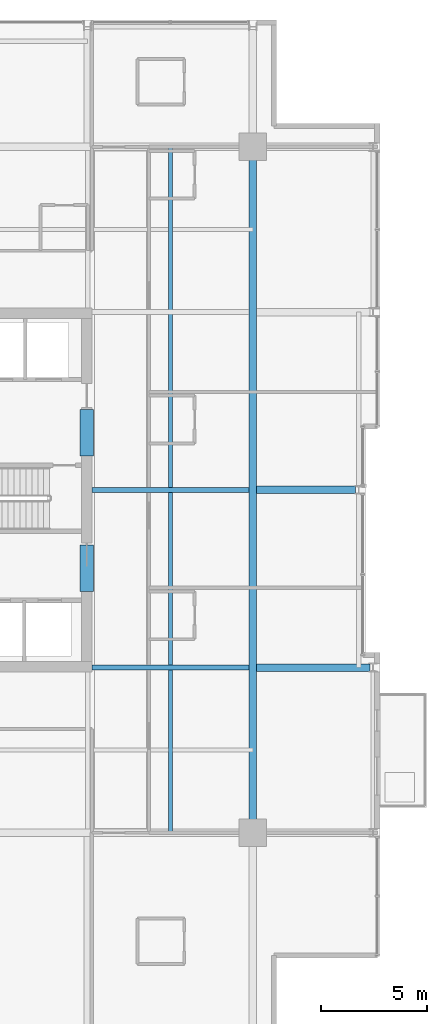
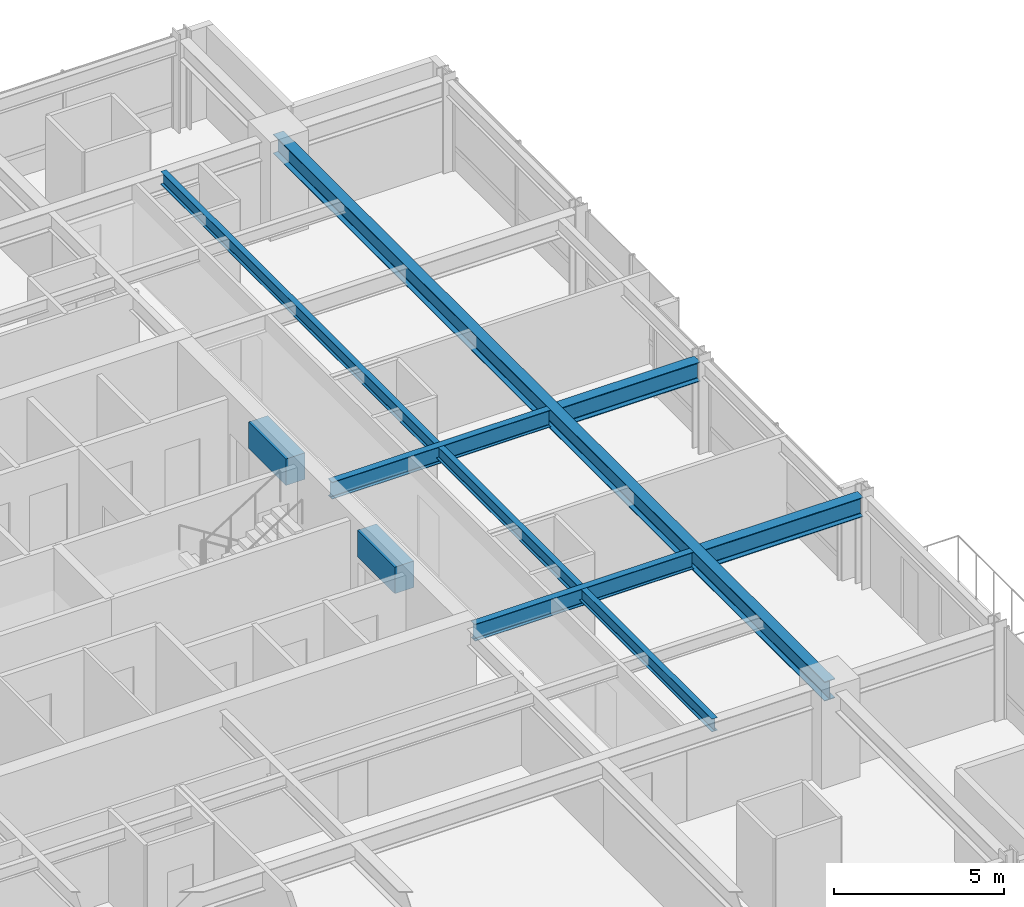
# One storey, part 14 of 33: 8 beams.
"""IFC4 building model written with IfcOpenShell, lengths in metres."""

from ifc_helpers import new_model, si_unit, direction, frame, origin, origin_2d, place, context, subcontext, project, spatial, rectangle, i_section, extrude, material, material_profile, profile_set, type_object, element, save


model = new_model("IFC4")

# Units and contexts
model_context = context("Model", 3, precision=1e-05, world=origin(), true_north=direction((0.0, 1.0)))
body_context = subcontext(model_context, "Body", "Model", "MODEL_VIEW")
ifc_project = project(units=[si_unit("LENGTHUNIT", "METRE"), si_unit("AREAUNIT", "SQUARE_METRE"), si_unit("VOLUMEUNIT", "CUBIC_METRE"), si_unit("PLANEANGLEUNIT", "RADIAN"), si_unit("MASSUNIT", "GRAM", prefix="KILO")], contexts=[model_context])

# Site, building, storey
site_placement = place(None, origin())
site = spatial("IfcSite", under=ifc_project, at=site_placement, CompositionType="ELEMENT")
building_placement = place(site_placement, origin())
building = spatial("IfcBuilding", under=site, at=building_placement, Name="Drelvath Grand Hotel", CompositionType="ELEMENT")
storey_placement = place(building_placement, frame((0.0, 0.0, 168.14990234375)))
storey = spatial("IfcBuildingStorey", under=building, at=storey_placement, Name="L43", CompositionType="ELEMENT", Elevation=168.14990234375)

# Beams
ifc_material_1 = material(Name="Steel ASTM A992 Gr 50", Category="steel")
ifc_material_profile_1 = material_profile(ifc_material_1, i_section(OverallWidth=0.19140625, OverallDepth=0.4599609375, WebThickness=0.010009765625, FlangeThickness=0.01611328125, FilletRadius=0.01611328125, at=origin_2d()), Name="W18X55")
ifc_profile_set_1 = profile_set([ifc_material_profile_1], Name="Steel ASTM A992 Gr 50")
beam_type_1 = type_object("IfcBeamType", Name="Composite Floor Joist W18X55", PredefinedType="JOIST", material=ifc_profile_set_1)
beam_1_placement = place(storey_placement, frame((12.300048828125, 10.800048828125, 3.06005859375), z_axis=(0.0, 1.0, 0.0), x_axis=(-1.0, 0.0, 0.0)))
element("IfcBeam", 1, at=beam_1_placement, inside=storey, type_object=beam_type_1, Name="L43 Wing Floor Joist J4", PredefinedType="JOIST", context=body_context, shape_type="SweptSolid", body=[
    extrude(i_section(OverallWidth=0.19140625, OverallDepth=0.4599609375, WebThickness=0.010009765625, FlangeThickness=0.01611328125, FilletRadius=0.01611328125, at=origin_2d()), origin(), (0.0, 0.0, 1.0), 32.39990234375),
])
ifc_material_2 = material(Name="Concrete f'c 55 MPa", Category="concrete")
ifc_material_profile_2 = material_profile(ifc_material_2, rectangle(XDim=0.64990234375, YDim=0.949951171875, at=origin_2d()), Name="CB650X950")
ifc_profile_set_2 = profile_set([ifc_material_profile_2], Name="Concrete f'c 55 MPa")
beam_type_2 = type_object("IfcBeamType", Name="Core Coupling Lintel CB650X950", PredefinedType="LINTEL", material=ifc_profile_set_2)
for number, where, z_axis, x_axis, name in (
    (2, (8.35009765625, 22.199951171875, 2.815185546875), (0.0, 1.0, 0.0), (-1.0, 0.0, 0.0), "L43 Core Coupling Lintel ES"),
    (3, (8.35009765625, 28.60009765625, 2.815185546875), (0.0, 1.0, 0.0), (-1.0, 0.0, 0.0), "L43 Core Coupling Lintel EN"),
):
    element("IfcBeam", number, at=place(storey_placement, frame(where, z_axis=z_axis, x_axis=x_axis)), inside=storey, type_object=beam_type_2, Name=name, PredefinedType="LINTEL", context=body_context, shape_type="SweptSolid", body=[
        extrude(rectangle(XDim=0.64990234375, YDim=0.949951171875, at=origin_2d()), origin(), (0.0, 0.0, 1.0), 2.199951171875),
    ])
ifc_material_profile_3 = material_profile(ifc_material_1, i_section(OverallWidth=0.228271484375, OverallDepth=0.607666015625, WebThickness=0.01123046875, FlangeThickness=0.017333984375, FilletRadius=0.02001953125, at=origin_2d()), Name="W24X76")
ifc_profile_set_3 = profile_set([ifc_material_profile_3], Name="Steel ASTM A992 Gr 50")
beam_type_3 = type_object("IfcBeamType", Name="Primary Floor Girder W24X76", PredefinedType="BEAM", material=ifc_profile_set_3)
for number, where, z_axis, x_axis, name in (
    (4, (8.60009765625, 18.60009765625, 2.986328125), (1.0, 0.0, 0.0), (0.0, 1.0, 0.0), "L43 East Core Tie D"),
    (5, (8.60009765625, 27.0, 2.986328125), (1.0, 0.0, 0.0), (0.0, 1.0, 0.0), "L43 East Core Tie E"),
):
    element("IfcBeam", number, at=place(storey_placement, frame(where, z_axis=z_axis, x_axis=x_axis)), inside=storey, type_object=beam_type_3, Name=name, PredefinedType="BEAM", context=body_context, shape_type="SweptSolid", body=[
        extrude(i_section(OverallWidth=0.228271484375, OverallDepth=0.607666015625, WebThickness=0.01123046875, FlangeThickness=0.017333984375, FilletRadius=0.02001953125, at=origin_2d()), origin(), (0.0, 0.0, 1.0), 7.422607421875),
    ])
ifc_material_profile_4 = material_profile(ifc_material_1, i_section(OverallWidth=0.354736328125, OverallDepth=0.695556640625, WebThickness=0.015380859375, FlangeThickness=0.025146484375, FilletRadius=0.02392578125, at=origin_2d()), Name="W27X146")
ifc_profile_set_4 = profile_set([ifc_material_profile_4], Name="Steel ASTM A992 Gr 50")
beam_type_4 = type_object("IfcBeamType", Name="Primary Floor Girder W27X146", PredefinedType="BEAM", material=ifc_profile_set_4)
beam_2_placement = place(storey_placement, frame((16.199951171875, 10.800048828125, 2.9423828125), z_axis=(0.0, 1.0, 0.0), x_axis=(-1.0, 0.0, 0.0)))
element("IfcBeam", 6, at=beam_2_placement, inside=storey, type_object=beam_type_4, Name="L43 Mega Ring Girder East", PredefinedType="BEAM", context=body_context, shape_type="SweptSolid", body=[
    extrude(i_section(OverallWidth=0.354736328125, OverallDepth=0.695556640625, WebThickness=0.015380859375, FlangeThickness=0.025146484375, FilletRadius=0.02392578125, at=origin_2d()), origin(), (0.0, 0.0, 1.0), 32.39990234375),
])
beam_3_placement = place(storey_placement, frame((16.37744140625, 18.60009765625, 2.9423828125), z_axis=(1.0, 0.0, 0.0), x_axis=(0.0, 1.0, 0.0)))
element("IfcBeam", 7, at=beam_3_placement, inside=storey, type_object=beam_type_4, Name="L43 East Wing Girder D", PredefinedType="BEAM", context=body_context, shape_type="SweptSolid", body=[
    extrude(i_section(OverallWidth=0.354736328125, OverallDepth=0.695556640625, WebThickness=0.015380859375, FlangeThickness=0.025146484375, FilletRadius=0.02392578125, at=origin_2d()), origin(), (0.0, 0.0, 1.0), 5.362548828125),
])
beam_4_placement = place(storey_placement, frame((16.37744140625, 27.0, 2.9423828125), z_axis=(1.0, 0.0, 0.0), x_axis=(0.0, 1.0, 0.0)))
element("IfcBeam", 8, at=beam_4_placement, inside=storey, type_object=beam_type_4, Name="L43 East Wing Girder E", PredefinedType="BEAM", context=body_context, shape_type="SweptSolid", body=[
    extrude(i_section(OverallWidth=0.354736328125, OverallDepth=0.695556640625, WebThickness=0.015380859375, FlangeThickness=0.025146484375, FilletRadius=0.02392578125, at=origin_2d()), origin(), (0.0, 0.0, 1.0), 4.6826171875),
])

save(model, "model.ifc")
